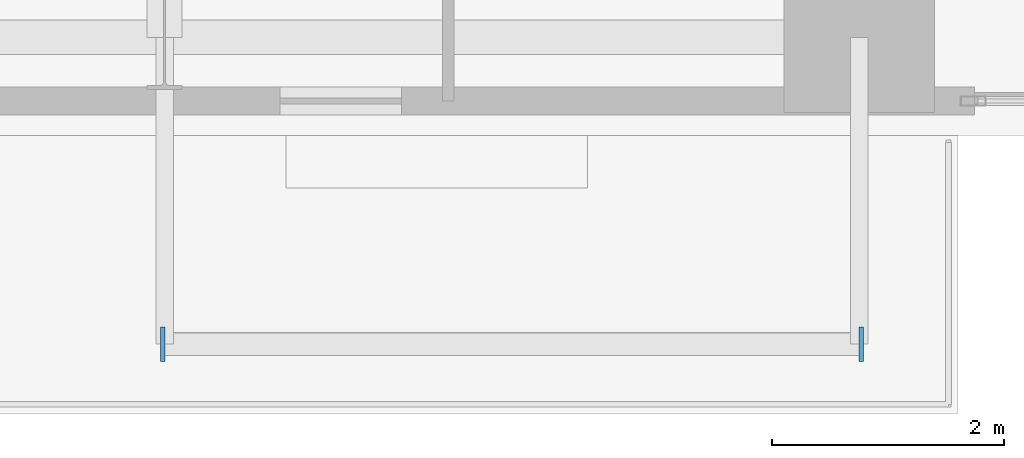
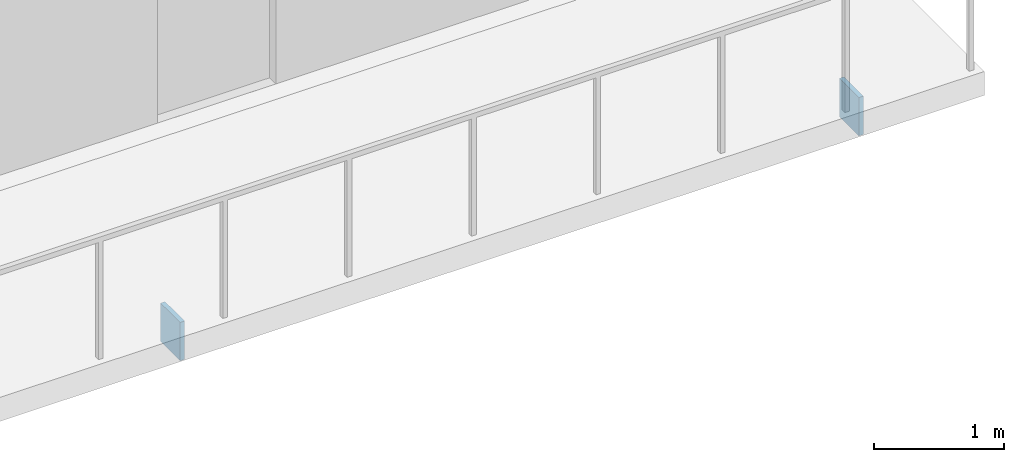
# One storey, part 19 of 27: 2 plates.
"""IFC4 building model written with IfcOpenShell, lengths in metres."""

import ifcopenshell
import ifcopenshell.guid

model = None  # the IFC model being written
_history = None  # IfcOwnerHistory: only IFC2X3 demands one
_inside = {}  # id of a spatial element -> (the spatial element, [elements in it])
_under = {}  # id of a project, library or spatial element -> (it, [spatial elements below it])
_declared = {}  # id of a project -> (the project, [libraries it declares])
_typed = {}  # id of a type object -> (the type object, [elements of that type])
_made_of = {}  # id of a material, layer set ... -> (it, [elements and type objects made of it])


def new_model(schema):
    """Start an empty IFC model of exactly this schema.

    Asked for "IFC4X3", IfcOpenShell would pick the latest addendum, in which some entities
    have other attributes; the version numbers below select the first issue.
    IFC2X3 requires an IfcOwnerHistory on every rooted entity: one is made here for all.
    """
    global model, _history
    if schema == "IFC4X3":
        model = ifcopenshell.file(schema_version=(4, 3, 0, 0))
    else:
        model = ifcopenshell.file(schema=schema)
    _inside.clear()
    _under.clear()
    _declared.clear()
    _typed.clear()
    _made_of.clear()
    _history = None
    if model.schema == "IFC2X3":
        org = make("IfcOrganization", Name="unknown")
        user = make(
            "IfcPersonAndOrganization",
            ThePerson=make("IfcPerson", FamilyName="unknown"),
            TheOrganization=org,
        )
        app = make(
            "IfcApplication",
            ApplicationDeveloper=org,
            Version="unknown",
            ApplicationFullName="unknown",
            ApplicationIdentifier="unknown",
        )
        _history = make(
            "IfcOwnerHistory",
            OwningUser=user,
            OwningApplication=app,
            ChangeAction="ADDED",
            CreationDate=0,
        )
    return model


def make(cls, **values):
    """One entity of the class cls with the attributes given. An attribute that is None is left unset."""
    return model.create_entity(
        cls, **{name: value for name, value in values.items() if value is not None}
    )


def rooted(cls, **values):
    """An entity with a GlobalId (a new one), such as an element, a storey or a relation."""
    return make(cls, GlobalId=ifcopenshell.guid.new(), OwnerHistory=_history, **values)


def si_unit(unit_type, name, prefix=None):
    """IfcSIUnit, for example si_unit("LENGTHUNIT", "METRE", prefix="MILLI")."""
    return make("IfcSIUnit", UnitType=unit_type, Prefix=prefix, Name=name)


def assignment(units):
    """IfcUnitAssignment: the units of a project."""
    return None if units is None else make("IfcUnitAssignment", Units=units)


def point(xyz):
    """IfcCartesianPoint."""
    return None if xyz is None else make("IfcCartesianPoint", Coordinates=xyz)


def direction(xyz):
    """IfcDirection."""
    return None if xyz is None else make("IfcDirection", DirectionRatios=xyz)


def frame(location, z_axis=None, x_axis=None):
    """IfcAxis2Placement3D, a coordinate frame: its origin and axes. An axis left out is left unset."""
    return make(
        "IfcAxis2Placement3D",
        Location=point(location),
        Axis=direction(z_axis),
        RefDirection=direction(x_axis),
    )


def frame_2d(location, x_axis=None):
    """IfcAxis2Placement2D, a coordinate frame in the plane: its origin and x axis."""
    return make(
        "IfcAxis2Placement2D", Location=point(location), RefDirection=direction(x_axis)
    )


def origin():
    """The frame at (0, 0, 0) with its axes left unset."""
    return frame((0.0, 0.0, 0.0))


def origin_2d():
    """The frame at (0, 0) in the plane with its x axis left unset."""
    return frame_2d((0.0, 0.0))


def place(relative_to, where):
    """IfcLocalPlacement: puts the frame where relative to a parent placement (None: the world)."""
    return make(
        "IfcLocalPlacement", PlacementRelTo=relative_to, RelativePlacement=where
    )


def context(
    kind, dimensions, precision=None, world=None, true_north=None, identifier=None
):
    """IfcGeometricRepresentationContext, for example the 3D "Model" context."""
    return make(
        "IfcGeometricRepresentationContext",
        ContextIdentifier=identifier,
        ContextType=kind,
        CoordinateSpaceDimension=dimensions,
        Precision=precision,
        WorldCoordinateSystem=world,
        TrueNorth=true_north,
    )


def subcontext(parent, identifier, kind, view, scale=None):
    """IfcGeometricRepresentationSubContext, for example "Body" below "Model"."""
    return make(
        "IfcGeometricRepresentationSubContext",
        ContextIdentifier=identifier,
        ContextType=kind,
        ParentContext=parent,
        TargetScale=scale,
        TargetView=view,
    )


def project(units=None, contexts=None):
    """IfcProject with its units and contexts."""
    return rooted(
        "IfcProject",
        Name="project",
        RepresentationContexts=contexts,
        UnitsInContext=assignment(units),
    )


def spatial(cls, under=None, at=None, **own):
    """A site, building, storey or space (cls), placed at a placement, below another one or the project."""
    s = rooted(cls, ObjectPlacement=at, **own)
    if under is not None:
        _under.setdefault(under.id(), (under, []))[1].append(s)
    return s


def profile(cls, at=None, kind="AREA", **sizes):
    """A parametric profile (cls). Its sizes go by their IFC names, for example OverallWidth=200.0."""
    return make(cls, ProfileType=kind, Position=at, **sizes)


def rectangle(**sizes):
    """IfcRectangleProfileDef."""
    return profile("IfcRectangleProfileDef", **sizes)


def extrude(swept, where, along, depth):
    """IfcExtrudedAreaSolid: the profile swept, set in the frame where, extruded along a direction by depth."""
    return make(
        "IfcExtrudedAreaSolid",
        SweptArea=swept,
        Position=where,
        ExtrudedDirection=direction(along),
        Depth=depth,
    )


def shape(context_of_items, identifier, shape_type, items):
    """IfcShapeRepresentation: the items that make up one representation, for example the "Body"."""
    return make(
        "IfcShapeRepresentation",
        ContextOfItems=context_of_items,
        RepresentationIdentifier=identifier,
        RepresentationType=shape_type,
        Items=items,
    )


def material(Name=None, Category=None):
    """IfcMaterial."""
    return make("IfcMaterial", Name=Name, Category=Category)


def layer(
    of_material, thickness, ventilated=None, Name=None, Category=None, Priority=None
):
    """IfcMaterialLayer: one layer of a wall or slab, of a material (None: an air gap)."""
    return make(
        "IfcMaterialLayer",
        Material=of_material,
        LayerThickness=thickness,
        IsVentilated=ventilated,
        Name=Name,
        Category=Category,
        Priority=Priority,
    )


def layer_set(layers, Name=None):
    """IfcMaterialLayerSet."""
    return make("IfcMaterialLayerSet", MaterialLayers=layers, LayerSetName=Name)


def made_of(thing, what):
    """Note that an element or type object is made of a material, layer set ...; save() writes the relation."""
    if what is not None:
        _made_of.setdefault(what.id(), (what, []))[1].append(thing)
    return thing


def type_object(cls, material=None, **own):
    """A type object (cls), such as IfcWallType, which elements share."""
    return made_of(rooted(cls, **own), material)


def element(
    cls,
    number,
    at=None,
    inside=None,
    cuts=None,
    type_object=None,
    material=None,
    context=None,
    identifier="Body",
    shape_type=None,
    held_by="IfcProductDefinitionShape",
    body=None,
    shapes=None,
    **own,
):
    """One element of the class cls, such as IfcWall. Its Tag is "e" and its number.

    at: its placement. inside: the storey or other place that contains it. cuts: it is an
    opening in that element (IfcRelVoidsElement). A single representation is given by context,
    identifier, shape_type and body (its items); several are given by shapes. held_by: the class
    of the entity that holds the representations. save() writes the other relations.
    """
    e = rooted(cls, Tag="e%d" % number, ObjectPlacement=at, **own)
    if body is not None:
        shapes = [shape(context, identifier, shape_type, body)]
    if shapes is not None:
        e.Representation = make(held_by, Representations=shapes)
    if inside is not None:
        _inside.setdefault(inside.id(), (inside, []))[1].append(e)
    if cuts is not None:
        rooted(
            "IfcRelVoidsElement", RelatingBuildingElement=cuts, RelatedOpeningElement=e
        )
    if type_object is not None:
        _typed.setdefault(type_object.id(), (type_object, []))[1].append(e)
    return made_of(e, material)


def aggregate(whole, parts):
    """IfcRelAggregates: a whole, such as a stair, and the parts it consists of."""
    return rooted("IfcRelAggregates", RelatingObject=whole, RelatedObjects=parts)


def save(model, path):
    """Write the relations noted so far, then the file.

    IfcRelAggregates (storeys below a building ...), IfcRelContainedInSpatialStructure (elements
    in a storey), IfcRelDefinesByType, IfcRelAssociatesMaterial and IfcRelDeclares: one each for
    every whole, place, type object, material and project.
    """
    for whole, parts in _under.values():
        aggregate(whole, parts)
    for where, things in _inside.values():
        rooted(
            "IfcRelContainedInSpatialStructure",
            RelatedElements=things,
            RelatingStructure=where,
        )
    for kind, things in _typed.values():
        rooted("IfcRelDefinesByType", RelatedObjects=things, RelatingType=kind)
    for what, things in _made_of.values():
        rooted("IfcRelAssociatesMaterial", RelatedObjects=things, RelatingMaterial=what)
    for by, libraries in _declared.values():
        rooted("IfcRelDeclares", RelatingContext=by, RelatedDefinitions=libraries)
    model.write(path)


model = new_model("IFC4")

# Units and contexts
model_context = context("Model", 3, precision=1e-05, world=origin(), true_north=direction((0.0, 1.0)))
body_context = subcontext(model_context, "Body", "Model", "MODEL_VIEW")
ifc_project = project(units=[si_unit("LENGTHUNIT", "METRE"), si_unit("AREAUNIT", "SQUARE_METRE"), si_unit("VOLUMEUNIT", "CUBIC_METRE"), si_unit("PLANEANGLEUNIT", "RADIAN"), si_unit("MASSUNIT", "GRAM", prefix="KILO"), si_unit("THERMODYNAMICTEMPERATUREUNIT", "KELVIN"), si_unit("POWERUNIT", "WATT")], contexts=[model_context])

# Site, building, storey
site_placement = place(None, origin())
site = spatial("IfcSite", under=ifc_project, at=site_placement, CompositionType="ELEMENT")
building_placement = place(site_placement, origin())
building = spatial("IfcBuilding", under=site, at=building_placement, Name="Svarakhadi Broadcast Tower", CompositionType="ELEMENT")
storey_placement = place(building_placement, frame((0.0, 0.0, 90.89990234375)))
storey = spatial("IfcBuildingStorey", under=building, at=storey_placement, Name="L21", CompositionType="ELEMENT", Elevation=90.89990234375)

# Plates
ifc_material = material(Name="Steel S460ML (IS 2062 E450BR)", Category="steel")
ifc_layer = layer(ifc_material, 0.028076171875)
ifc_layer_set = layer_set([ifc_layer], Name="Steel S460ML (IS 2062 E450BR)")
plate_type = type_object("IfcPlateType", Name="Cap_Plate_CP02", PredefinedType="USERDEFINED", material=ifc_layer_set)
for number, where, z_axis, x_axis, name in (
    (1, (41.135009765625, -1.800048828125, -0.580078125), (0.0, 0.0, 1.0), (1.0, 0.0, 0.0), "L21 Balcony Spandrel End Cap Plate 1F-A"),
    (2, (47.1650390625, -1.800048828125, -0.580078125), (0.0, 0.0, 1.0), (1.0, 0.0, 0.0), "L21 Balcony Spandrel End Cap Plate 1F-B"),
):
    element("IfcPlate", number, at=place(storey_placement, frame(where, z_axis=z_axis, x_axis=x_axis)), inside=storey, type_object=plate_type, Name=name, ObjectType="FLANGE_PLATE", PredefinedType="USERDEFINED", context=body_context, shape_type="SweptSolid", body=[
        extrude(rectangle(XDim=0.0400390625, YDim=0.300048828125, at=origin_2d()), origin(), (0.0, 0.0, 1.0), 0.360107421875),
    ])

save(model, "model.ifc")
